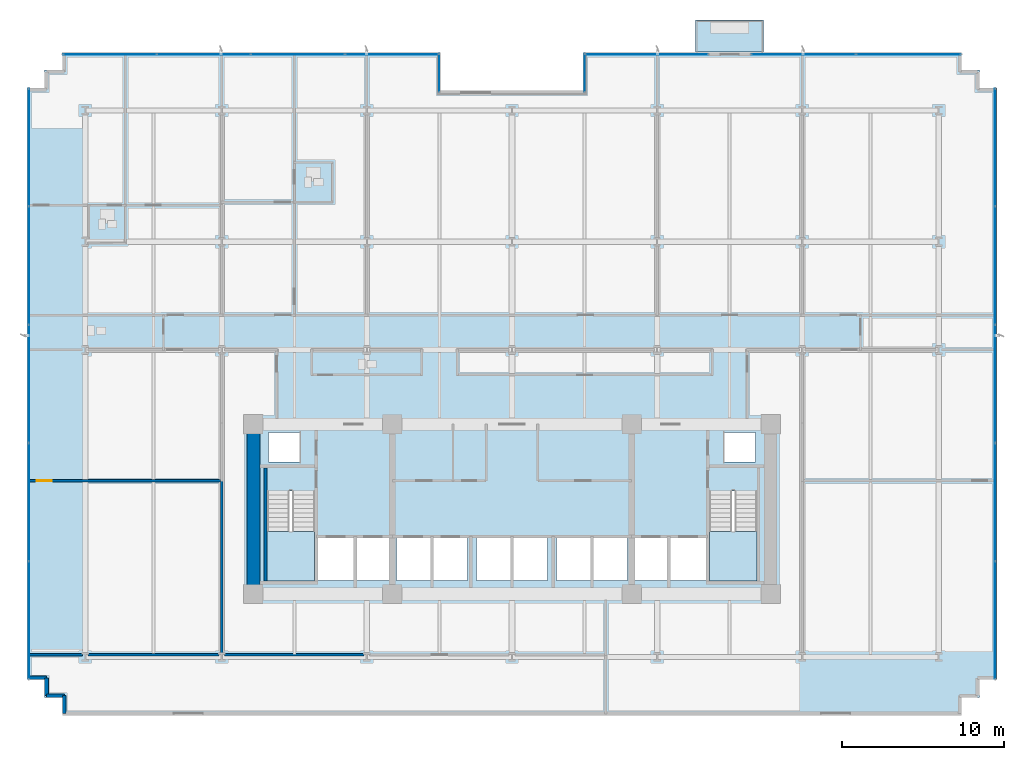
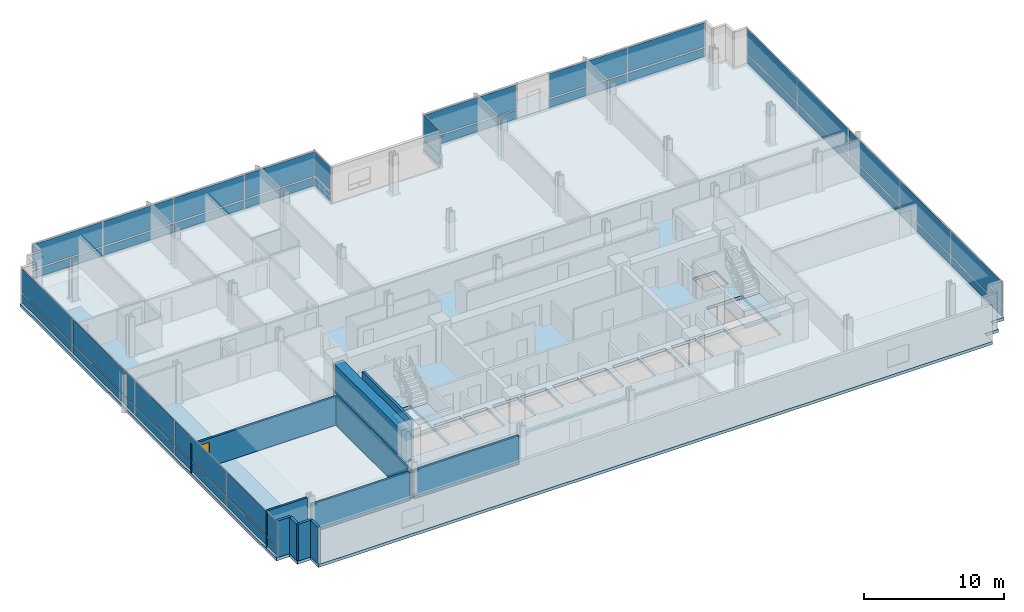
# One storey, part 11 of 21: 38 plates, 11 walls, 4 slabs, 1 door, 1 opening, 9 elements without a shape of their own.
"""IFC4 building model written with IfcOpenShell, lengths in metres."""

import ifcopenshell
import ifcopenshell.guid

model = None  # the IFC model being written
_history = None  # IfcOwnerHistory: only IFC2X3 demands one
_inside = {}  # id of a spatial element -> (the spatial element, [elements in it])
_under = {}  # id of a project, library or spatial element -> (it, [spatial elements below it])
_declared = {}  # id of a project -> (the project, [libraries it declares])
_typed = {}  # id of a type object -> (the type object, [elements of that type])
_made_of = {}  # id of a material, layer set ... -> (it, [elements and type objects made of it])


def new_model(schema):
    """Start an empty IFC model of exactly this schema.

    Asked for "IFC4X3", IfcOpenShell would pick the latest addendum, in which some entities
    have other attributes; the version numbers below select the first issue.
    IFC2X3 requires an IfcOwnerHistory on every rooted entity: one is made here for all.
    """
    global model, _history
    if schema == "IFC4X3":
        model = ifcopenshell.file(schema_version=(4, 3, 0, 0))
    else:
        model = ifcopenshell.file(schema=schema)
    _inside.clear()
    _under.clear()
    _declared.clear()
    _typed.clear()
    _made_of.clear()
    _history = None
    if model.schema == "IFC2X3":
        org = make("IfcOrganization", Name="unknown")
        user = make(
            "IfcPersonAndOrganization",
            ThePerson=make("IfcPerson", FamilyName="unknown"),
            TheOrganization=org,
        )
        app = make(
            "IfcApplication",
            ApplicationDeveloper=org,
            Version="unknown",
            ApplicationFullName="unknown",
            ApplicationIdentifier="unknown",
        )
        _history = make(
            "IfcOwnerHistory",
            OwningUser=user,
            OwningApplication=app,
            ChangeAction="ADDED",
            CreationDate=0,
        )
    return model


def make(cls, **values):
    """One entity of the class cls with the attributes given. An attribute that is None is left unset."""
    return model.create_entity(
        cls, **{name: value for name, value in values.items() if value is not None}
    )


def rooted(cls, **values):
    """An entity with a GlobalId (a new one), such as an element, a storey or a relation."""
    return make(cls, GlobalId=ifcopenshell.guid.new(), OwnerHistory=_history, **values)


def si_unit(unit_type, name, prefix=None):
    """IfcSIUnit, for example si_unit("LENGTHUNIT", "METRE", prefix="MILLI")."""
    return make("IfcSIUnit", UnitType=unit_type, Prefix=prefix, Name=name)


def assignment(units):
    """IfcUnitAssignment: the units of a project."""
    return None if units is None else make("IfcUnitAssignment", Units=units)


def point(xyz):
    """IfcCartesianPoint."""
    return None if xyz is None else make("IfcCartesianPoint", Coordinates=xyz)


def direction(xyz):
    """IfcDirection."""
    return None if xyz is None else make("IfcDirection", DirectionRatios=xyz)


def frame(location, z_axis=None, x_axis=None):
    """IfcAxis2Placement3D, a coordinate frame: its origin and axes. An axis left out is left unset."""
    return make(
        "IfcAxis2Placement3D",
        Location=point(location),
        Axis=direction(z_axis),
        RefDirection=direction(x_axis),
    )


def frame_2d(location, x_axis=None):
    """IfcAxis2Placement2D, a coordinate frame in the plane: its origin and x axis."""
    return make(
        "IfcAxis2Placement2D", Location=point(location), RefDirection=direction(x_axis)
    )


def origin():
    """The frame at (0, 0, 0) with its axes left unset."""
    return frame((0.0, 0.0, 0.0))


def origin_2d():
    """The frame at (0, 0) in the plane with its x axis left unset."""
    return frame_2d((0.0, 0.0))


def place(relative_to, where):
    """IfcLocalPlacement: puts the frame where relative to a parent placement (None: the world)."""
    return make(
        "IfcLocalPlacement", PlacementRelTo=relative_to, RelativePlacement=where
    )


def context(
    kind, dimensions, precision=None, world=None, true_north=None, identifier=None
):
    """IfcGeometricRepresentationContext, for example the 3D "Model" context."""
    return make(
        "IfcGeometricRepresentationContext",
        ContextIdentifier=identifier,
        ContextType=kind,
        CoordinateSpaceDimension=dimensions,
        Precision=precision,
        WorldCoordinateSystem=world,
        TrueNorth=true_north,
    )


def subcontext(parent, identifier, kind, view, scale=None):
    """IfcGeometricRepresentationSubContext, for example "Body" below "Model"."""
    return make(
        "IfcGeometricRepresentationSubContext",
        ContextIdentifier=identifier,
        ContextType=kind,
        ParentContext=parent,
        TargetScale=scale,
        TargetView=view,
    )


def project(units=None, contexts=None):
    """IfcProject with its units and contexts."""
    return rooted(
        "IfcProject",
        Name="project",
        RepresentationContexts=contexts,
        UnitsInContext=assignment(units),
    )


def spatial(cls, under=None, at=None, **own):
    """A site, building, storey or space (cls), placed at a placement, below another one or the project."""
    s = rooted(cls, ObjectPlacement=at, **own)
    if under is not None:
        _under.setdefault(under.id(), (under, []))[1].append(s)
    return s


def polyline(points):
    """IfcPolyline through the points."""
    return make("IfcPolyline", Points=[point(p) for p in points])


def profile(cls, at=None, kind="AREA", **sizes):
    """A parametric profile (cls). Its sizes go by their IFC names, for example OverallWidth=200.0."""
    return make(cls, ProfileType=kind, Position=at, **sizes)


def rectangle(**sizes):
    """IfcRectangleProfileDef."""
    return profile("IfcRectangleProfileDef", **sizes)


def outline(outer, holes=None, kind="AREA"):
    """IfcArbitraryClosedProfileDef: a profile drawn as a closed curve; with holes, ...WithVoids."""
    if holes is None:
        return make("IfcArbitraryClosedProfileDef", ProfileType=kind, OuterCurve=outer)
    return make(
        "IfcArbitraryProfileDefWithVoids",
        ProfileType=kind,
        OuterCurve=outer,
        InnerCurves=holes,
    )


def extrude(swept, where, along, depth):
    """IfcExtrudedAreaSolid: the profile swept, set in the frame where, extruded along a direction by depth."""
    return make(
        "IfcExtrudedAreaSolid",
        SweptArea=swept,
        Position=where,
        ExtrudedDirection=direction(along),
        Depth=depth,
    )


def shape(context_of_items, identifier, shape_type, items):
    """IfcShapeRepresentation: the items that make up one representation, for example the "Body"."""
    return make(
        "IfcShapeRepresentation",
        ContextOfItems=context_of_items,
        RepresentationIdentifier=identifier,
        RepresentationType=shape_type,
        Items=items,
    )


def material(Name=None, Category=None):
    """IfcMaterial."""
    return make("IfcMaterial", Name=Name, Category=Category)


def layer(
    of_material, thickness, ventilated=None, Name=None, Category=None, Priority=None
):
    """IfcMaterialLayer: one layer of a wall or slab, of a material (None: an air gap)."""
    return make(
        "IfcMaterialLayer",
        Material=of_material,
        LayerThickness=thickness,
        IsVentilated=ventilated,
        Name=Name,
        Category=Category,
        Priority=Priority,
    )


def layer_set(layers, Name=None):
    """IfcMaterialLayerSet."""
    return make("IfcMaterialLayerSet", MaterialLayers=layers, LayerSetName=Name)


def made_of(thing, what):
    """Note that an element or type object is made of a material, layer set ...; save() writes the relation."""
    if what is not None:
        _made_of.setdefault(what.id(), (what, []))[1].append(thing)
    return thing


def type_object(cls, material=None, **own):
    """A type object (cls), such as IfcWallType, which elements share."""
    return made_of(rooted(cls, **own), material)


def element(
    cls,
    number,
    at=None,
    inside=None,
    cuts=None,
    type_object=None,
    material=None,
    context=None,
    identifier="Body",
    shape_type=None,
    held_by="IfcProductDefinitionShape",
    body=None,
    shapes=None,
    **own,
):
    """One element of the class cls, such as IfcWall. Its Tag is "e" and its number.

    at: its placement. inside: the storey or other place that contains it. cuts: it is an
    opening in that element (IfcRelVoidsElement). A single representation is given by context,
    identifier, shape_type and body (its items); several are given by shapes. held_by: the class
    of the entity that holds the representations. save() writes the other relations.
    """
    e = rooted(cls, Tag="e%d" % number, ObjectPlacement=at, **own)
    if body is not None:
        shapes = [shape(context, identifier, shape_type, body)]
    if shapes is not None:
        e.Representation = make(held_by, Representations=shapes)
    if inside is not None:
        _inside.setdefault(inside.id(), (inside, []))[1].append(e)
    if cuts is not None:
        rooted(
            "IfcRelVoidsElement", RelatingBuildingElement=cuts, RelatedOpeningElement=e
        )
    if type_object is not None:
        _typed.setdefault(type_object.id(), (type_object, []))[1].append(e)
    return made_of(e, material)


def fill(opening, filler):
    """IfcRelFillsElement: the door or window that sits in an opening."""
    return rooted(
        "IfcRelFillsElement",
        RelatingOpeningElement=opening,
        RelatedBuildingElement=filler,
    )


def aggregate(whole, parts):
    """IfcRelAggregates: a whole, such as a stair, and the parts it consists of."""
    return rooted("IfcRelAggregates", RelatingObject=whole, RelatedObjects=parts)


def save(model, path):
    """Write the relations noted so far, then the file.

    IfcRelAggregates (storeys below a building ...), IfcRelContainedInSpatialStructure (elements
    in a storey), IfcRelDefinesByType, IfcRelAssociatesMaterial and IfcRelDeclares: one each for
    every whole, place, type object, material and project.
    """
    for whole, parts in _under.values():
        aggregate(whole, parts)
    for where, things in _inside.values():
        rooted(
            "IfcRelContainedInSpatialStructure",
            RelatedElements=things,
            RelatingStructure=where,
        )
    for kind, things in _typed.values():
        rooted("IfcRelDefinesByType", RelatedObjects=things, RelatingType=kind)
    for what, things in _made_of.values():
        rooted("IfcRelAssociatesMaterial", RelatedObjects=things, RelatingMaterial=what)
    for by, libraries in _declared.values():
        rooted("IfcRelDeclares", RelatingContext=by, RelatedDefinitions=libraries)
    model.write(path)


model = new_model("IFC4")

# Units and contexts
model_context = context("Model", 3, precision=1e-05, world=origin(), true_north=direction((0.0, 1.0)))
body_context = subcontext(model_context, "Body", "Model", "MODEL_VIEW")
ifc_project = project(units=[si_unit("LENGTHUNIT", "METRE"), si_unit("AREAUNIT", "SQUARE_METRE"), si_unit("VOLUMEUNIT", "CUBIC_METRE"), si_unit("PLANEANGLEUNIT", "RADIAN"), si_unit("MASSUNIT", "GRAM", prefix="KILO")], contexts=[model_context])

# Site, building, storey
site_placement = place(None, origin())
site = spatial("IfcSite", under=ifc_project, at=site_placement, CompositionType="ELEMENT")
building_placement = place(site_placement, origin())
building = spatial("IfcBuilding", under=site, at=building_placement, Name="Solmavex Isthmus Hotel", CompositionType="ELEMENT")
storey_placement = place(building_placement, frame((0.0, 0.0, 60.89990234375)))
storey = spatial("IfcBuildingStorey", under=building, at=storey_placement, Name="L16", CompositionType="ELEMENT", Elevation=60.89990234375)

# Curtain wall, plates
ifc_material_1 = material(Name="Aluminium alloy 6063-T6", Category="aluminium")
curtain_wall_type = type_object("IfcCurtainWallType", Name="CW-SYS-06", PredefinedType="NOTDEFINED", material=ifc_material_1)
curtain_wall_1_placement = place(storey_placement, origin())
curtain_wall_1 = element("IfcCurtainWall", 1, at=curtain_wall_1_placement, inside=storey, type_object=curtain_wall_type, Name="Stick Curtain Wall CWL-L16-SGW", PredefinedType="NOTDEFINED")
ifc_material_2 = material(Name="Clear low-E laminated glass", Category="glass")
ifc_layer_1 = layer(ifc_material_2, 0.028076171875)
ifc_layer_set_1 = layer_set([ifc_layer_1], Name="Clear low-E laminated glass")
plate_type = type_object("IfcPlateType", Name="CW-SYS-06-PNL", PredefinedType="CURTAIN_PANEL", material=ifc_layer_set_1)
plate_1_placement = place(storey_placement, frame((-4.5, 19.239990234375, 0.114990234375), z_axis=(0.0, 0.0, 1.0), x_axis=(0.0, 1.0, 0.0)))
plate_1 = element("IfcPlate", 2, at=plate_1_placement, type_object=plate_type, Name="CW-06 panel 1.1", PredefinedType="CURTAIN_PANEL", context=body_context, shape_type="SweptSolid", body=[
    extrude(rectangle(XDim=2.360107421875, YDim=0.028076171875, at=origin_2d()), origin(), (0.0, 0.0, 1.0), 0.7275390625),
])
plate_2_placement = place(storey_placement, frame((-4.5, 19.239990234375, 0.95751953125), z_axis=(0.0, 0.0, 1.0), x_axis=(0.0, 1.0, 0.0)))
plate_2 = element("IfcPlate", 3, at=plate_2_placement, type_object=plate_type, Name="CW-06 panel 1.2", PredefinedType="CURTAIN_PANEL", context=body_context, shape_type="SweptSolid", body=[
    extrude(rectangle(XDim=2.360107421875, YDim=0.028076171875, at=origin_2d()), origin(), (0.0, 0.0, 1.0), 2.117431640625),
])
aggregate(curtain_wall_1, [plate_1, plate_2])

curtain_wall_2_placement = place(storey_placement, origin())
curtain_wall_2 = element("IfcCurtainWall", 4, at=curtain_wall_2_placement, inside=storey, type_object=curtain_wall_type, Name="Stick Curtain Wall CWL-L16-SGE", PredefinedType="NOTDEFINED")
plate_3_placement = place(storey_placement, frame((4.5, 19.239990234375, 0.114990234375), z_axis=(0.0, 0.0, 1.0), x_axis=(0.0, 1.0, 0.0)))
plate_3 = element("IfcPlate", 5, at=plate_3_placement, type_object=plate_type, Name="CW-06 panel 1.1", PredefinedType="CURTAIN_PANEL", context=body_context, shape_type="SweptSolid", body=[
    extrude(rectangle(XDim=2.360107421875, YDim=0.028076171875, at=origin_2d()), origin(), (0.0, 0.0, 1.0), 0.7275390625),
])
plate_4_placement = place(storey_placement, frame((4.5, 19.239990234375, 0.95751953125), z_axis=(0.0, 0.0, 1.0), x_axis=(0.0, 1.0, 0.0)))
plate_4 = element("IfcPlate", 6, at=plate_4_placement, type_object=plate_type, Name="CW-06 panel 1.2", PredefinedType="CURTAIN_PANEL", context=body_context, shape_type="SweptSolid", body=[
    extrude(rectangle(XDim=2.360107421875, YDim=0.028076171875, at=origin_2d()), origin(), (0.0, 0.0, 1.0), 2.117431640625),
])
aggregate(curtain_wall_2, [plate_3, plate_4])

curtain_wall_3_placement = place(storey_placement, origin())
curtain_wall_3 = element("IfcCurtainWall", 7, at=curtain_wall_3_placement, inside=storey, type_object=curtain_wall_type, Name="Stick Curtain Wall CWL-L16-N1", PredefinedType="NOTDEFINED")
plate_5_placement = place(storey_placement, frame((-24.87255859375, 20.3798828125, 0.114990234375), z_axis=(0.0, 0.0, 1.0), x_axis=(1.0, 0.0, 0.0)))
plate_5 = element("IfcPlate", 8, at=plate_5_placement, type_object=plate_type, Name="CW-06 panel 1.1", PredefinedType="CURTAIN_PANEL", context=body_context, shape_type="SweptSolid", body=[
    extrude(rectangle(XDim=5.735107421875, YDim=0.028076171875, at=origin_2d()), origin(), (0.0, 0.0, 1.0), 0.7275390625),
])
plate_6_placement = place(storey_placement, frame((-24.87255859375, 20.3798828125, 0.95751953125), z_axis=(0.0, 0.0, 1.0), x_axis=(1.0, 0.0, 0.0)))
plate_6 = element("IfcPlate", 9, at=plate_6_placement, type_object=plate_type, Name="CW-06 panel 1.2", PredefinedType="CURTAIN_PANEL", context=body_context, shape_type="SweptSolid", body=[
    extrude(rectangle(XDim=5.735107421875, YDim=0.028076171875, at=origin_2d()), origin(), (0.0, 0.0, 1.0), 2.117431640625),
])
plate_7_placement = place(storey_placement, frame((-19.0625, 20.3798828125, 0.114990234375), z_axis=(0.0, 0.0, 1.0), x_axis=(1.0, 0.0, 0.0)))
plate_7 = element("IfcPlate", 10, at=plate_7_placement, type_object=plate_type, Name="CW-06 panel 2.1", PredefinedType="CURTAIN_PANEL", context=body_context, shape_type="SweptSolid", body=[
    extrude(rectangle(XDim=5.764892578125, YDim=0.028076171875, at=origin_2d()), origin(), (0.0, 0.0, 1.0), 0.7275390625),
])
plate_8_placement = place(storey_placement, frame((-19.0625, 20.3798828125, 0.95751953125), z_axis=(0.0, 0.0, 1.0), x_axis=(1.0, 0.0, 0.0)))
plate_8 = element("IfcPlate", 11, at=plate_8_placement, type_object=plate_type, Name="CW-06 panel 2.2", PredefinedType="CURTAIN_PANEL", context=body_context, shape_type="SweptSolid", body=[
    extrude(rectangle(XDim=5.764892578125, YDim=0.028076171875, at=origin_2d()), origin(), (0.0, 0.0, 1.0), 2.117431640625),
])
plate_9_placement = place(storey_placement, frame((-13.237548828125, 20.3798828125, 0.114990234375), z_axis=(0.0, 0.0, 1.0), x_axis=(1.0, 0.0, 0.0)))
plate_9 = element("IfcPlate", 12, at=plate_9_placement, type_object=plate_type, Name="CW-06 panel 3.1", PredefinedType="CURTAIN_PANEL", context=body_context, shape_type="SweptSolid", body=[
    extrude(rectangle(XDim=5.764892578125, YDim=0.028076171875, at=origin_2d()), origin(), (0.0, 0.0, 1.0), 0.7275390625),
])
plate_10_placement = place(storey_placement, frame((-13.237548828125, 20.3798828125, 0.95751953125), z_axis=(0.0, 0.0, 1.0), x_axis=(1.0, 0.0, 0.0)))
plate_10 = element("IfcPlate", 13, at=plate_10_placement, type_object=plate_type, Name="CW-06 panel 3.2", PredefinedType="CURTAIN_PANEL", context=body_context, shape_type="SweptSolid", body=[
    extrude(rectangle(XDim=5.764892578125, YDim=0.028076171875, at=origin_2d()), origin(), (0.0, 0.0, 1.0), 2.117431640625),
])
plate_11_placement = place(storey_placement, frame((-7.427490234375, 20.3798828125, 0.114990234375), z_axis=(0.0, 0.0, 1.0), x_axis=(1.0, 0.0, 0.0)))
plate_11 = element("IfcPlate", 14, at=plate_11_placement, type_object=plate_type, Name="CW-06 panel 4.1", PredefinedType="CURTAIN_PANEL", context=body_context, shape_type="SweptSolid", body=[
    extrude(rectangle(XDim=5.735107421875, YDim=0.028076171875, at=origin_2d()), origin(), (0.0, 0.0, 1.0), 0.7275390625),
])
plate_12_placement = place(storey_placement, frame((-7.427490234375, 20.3798828125, 0.95751953125), z_axis=(0.0, 0.0, 1.0), x_axis=(1.0, 0.0, 0.0)))
plate_12 = element("IfcPlate", 15, at=plate_12_placement, type_object=plate_type, Name="CW-06 panel 4.2", PredefinedType="CURTAIN_PANEL", context=body_context, shape_type="SweptSolid", body=[
    extrude(rectangle(XDim=5.735107421875, YDim=0.028076171875, at=origin_2d()), origin(), (0.0, 0.0, 1.0), 2.117431640625),
])
aggregate(curtain_wall_3, [plate_5, plate_6, plate_7, plate_8, plate_9, plate_10, plate_11, plate_12])

curtain_wall_4_placement = place(storey_placement, origin())
curtain_wall_4 = element("IfcCurtainWall", 16, at=curtain_wall_4_placement, inside=storey, type_object=curtain_wall_type, Name="Stick Curtain Wall CWL-L16-N2", PredefinedType="NOTDEFINED")
plate_13_placement = place(storey_placement, frame((8.33203125, 20.3798828125, 0.114990234375), z_axis=(0.0, 0.0, 1.0), x_axis=(1.0, 0.0, 0.0)))
plate_13 = element("IfcPlate", 17, at=plate_13_placement, type_object=plate_type, Name="CW-06 panel 1.1", PredefinedType="CURTAIN_PANEL", context=body_context, shape_type="SweptSolid", body=[
    extrude(rectangle(XDim=7.5439453125, YDim=0.028076171875, at=origin_2d()), origin(), (0.0, 0.0, 1.0), 0.7275390625),
])
plate_14_placement = place(storey_placement, frame((8.33203125, 20.3798828125, 0.95751953125), z_axis=(0.0, 0.0, 1.0), x_axis=(1.0, 0.0, 0.0)))
plate_14 = element("IfcPlate", 18, at=plate_14_placement, type_object=plate_type, Name="CW-06 panel 1.2", PredefinedType="CURTAIN_PANEL", context=body_context, shape_type="SweptSolid", body=[
    extrude(rectangle(XDim=7.5439453125, YDim=0.028076171875, at=origin_2d()), origin(), (0.0, 0.0, 1.0), 2.117431640625),
])
aggregate(curtain_wall_4, [plate_13, plate_14])

curtain_wall_5_placement = place(storey_placement, origin())
curtain_wall_5 = element("IfcCurtainWall", 19, at=curtain_wall_5_placement, inside=storey, type_object=curtain_wall_type, Name="Stick Curtain Wall CWL-L16-N3", PredefinedType="NOTDEFINED")
plate_15_placement = place(storey_placement, frame((18.0380859375, 20.3798828125, 0.114990234375), z_axis=(0.0, 0.0, 1.0), x_axis=(1.0, 0.0, 0.0)))
plate_15 = element("IfcPlate", 20, at=plate_15_placement, type_object=plate_type, Name="CW-06 panel 1.1", PredefinedType="CURTAIN_PANEL", context=body_context, shape_type="SweptSolid", body=[
    extrude(rectangle(XDim=6.427978515625, YDim=0.028076171875, at=origin_2d()), origin(), (0.0, 0.0, 1.0), 0.7275390625),
])
plate_16_placement = place(storey_placement, frame((18.0380859375, 20.3798828125, 0.95751953125), z_axis=(0.0, 0.0, 1.0), x_axis=(1.0, 0.0, 0.0)))
plate_16 = element("IfcPlate", 21, at=plate_16_placement, type_object=plate_type, Name="CW-06 panel 1.2", PredefinedType="CURTAIN_PANEL", context=body_context, shape_type="SweptSolid", body=[
    extrude(rectangle(XDim=6.427978515625, YDim=0.028076171875, at=origin_2d()), origin(), (0.0, 0.0, 1.0), 2.117431640625),
])
plate_17_placement = place(storey_placement, frame((24.52587890625, 20.3798828125, 0.114990234375), z_axis=(0.0, 0.0, 1.0), x_axis=(1.0, 0.0, 0.0)))
plate_17 = element("IfcPlate", 22, at=plate_17_placement, type_object=plate_type, Name="CW-06 panel 2.1", PredefinedType="CURTAIN_PANEL", context=body_context, shape_type="SweptSolid", body=[
    extrude(rectangle(XDim=6.427978515625, YDim=0.028076171875, at=origin_2d()), origin(), (0.0, 0.0, 1.0), 0.7275390625),
])
plate_18_placement = place(storey_placement, frame((24.52587890625, 20.3798828125, 0.95751953125), z_axis=(0.0, 0.0, 1.0), x_axis=(1.0, 0.0, 0.0)))
plate_18 = element("IfcPlate", 23, at=plate_18_placement, type_object=plate_type, Name="CW-06 panel 2.2", PredefinedType="CURTAIN_PANEL", context=body_context, shape_type="SweptSolid", body=[
    extrude(rectangle(XDim=6.427978515625, YDim=0.028076171875, at=origin_2d()), origin(), (0.0, 0.0, 1.0), 2.117431640625),
])
aggregate(curtain_wall_5, [plate_15, plate_16, plate_17, plate_18])

curtain_wall_6_placement = place(storey_placement, origin())
curtain_wall_6 = element("IfcCurtainWall", 24, at=curtain_wall_6_placement, inside=storey, type_object=curtain_wall_type, Name="Stick Curtain Wall CWL-L16-W1", PredefinedType="NOTDEFINED")
plate_19_placement = place(storey_placement, frame((-29.8798828125, -14.625, 0.114990234375), z_axis=(0.0, 0.0, 1.0), x_axis=(0.0, 1.0, 0.0)))
plate_19 = element("IfcPlate", 25, at=plate_19_placement, type_object=plate_type, Name="CW-06 panel 1.1", PredefinedType="CURTAIN_PANEL", context=body_context, shape_type="SweptSolid", body=[
    extrude(rectangle(XDim=7.22998046875, YDim=0.028076171875, at=origin_2d()), origin(), (0.0, 0.0, 1.0), 0.7275390625),
])
plate_20_placement = place(storey_placement, frame((-29.8798828125, -14.625, 0.95751953125), z_axis=(0.0, 0.0, 1.0), x_axis=(0.0, 1.0, 0.0)))
plate_20 = element("IfcPlate", 26, at=plate_20_placement, type_object=plate_type, Name="CW-06 panel 1.2", PredefinedType="CURTAIN_PANEL", context=body_context, shape_type="SweptSolid", body=[
    extrude(rectangle(XDim=7.22998046875, YDim=0.028076171875, at=origin_2d()), origin(), (0.0, 0.0, 1.0), 2.117431640625),
])
plate_21_placement = place(storey_placement, frame((-29.8798828125, -7.320068359375, 0.114990234375), z_axis=(0.0, 0.0, 1.0), x_axis=(0.0, 1.0, 0.0)))
plate_21 = element("IfcPlate", 27, at=plate_21_placement, type_object=plate_type, Name="CW-06 panel 2.1", PredefinedType="CURTAIN_PANEL", context=body_context, shape_type="SweptSolid", body=[
    extrude(rectangle(XDim=7.260009765625, YDim=0.028076171875, at=origin_2d()), origin(), (0.0, 0.0, 1.0), 0.7275390625),
])
plate_22_placement = place(storey_placement, frame((-29.8798828125, -7.320068359375, 0.95751953125), z_axis=(0.0, 0.0, 1.0), x_axis=(0.0, 1.0, 0.0)))
plate_22 = element("IfcPlate", 28, at=plate_22_placement, type_object=plate_type, Name="CW-06 panel 2.2", PredefinedType="CURTAIN_PANEL", context=body_context, shape_type="SweptSolid", body=[
    extrude(rectangle(XDim=7.260009765625, YDim=0.028076171875, at=origin_2d()), origin(), (0.0, 0.0, 1.0), 2.117431640625),
])
plate_23_placement = place(storey_placement, frame((-29.8798828125, 0.0, 0.114990234375), z_axis=(0.0, 0.0, 1.0), x_axis=(0.0, 1.0, 0.0)))
plate_23 = element("IfcPlate", 29, at=plate_23_placement, type_object=plate_type, Name="CW-06 panel 3.1", PredefinedType="CURTAIN_PANEL", context=body_context, shape_type="SweptSolid", body=[
    extrude(rectangle(XDim=7.260009765625, YDim=0.028076171875, at=origin_2d()), origin(), (0.0, 0.0, 1.0), 0.7275390625),
])
plate_24_placement = place(storey_placement, frame((-29.8798828125, 0.0, 0.95751953125), z_axis=(0.0, 0.0, 1.0), x_axis=(0.0, 1.0, 0.0)))
plate_24 = element("IfcPlate", 30, at=plate_24_placement, type_object=plate_type, Name="CW-06 panel 3.2", PredefinedType="CURTAIN_PANEL", context=body_context, shape_type="SweptSolid", body=[
    extrude(rectangle(XDim=7.260009765625, YDim=0.028076171875, at=origin_2d()), origin(), (0.0, 0.0, 1.0), 2.117431640625),
])
plate_25_placement = place(storey_placement, frame((-29.8798828125, 7.320068359375, 0.114990234375), z_axis=(0.0, 0.0, 1.0), x_axis=(0.0, 1.0, 0.0)))
plate_25 = element("IfcPlate", 31, at=plate_25_placement, type_object=plate_type, Name="CW-06 panel 4.1", PredefinedType="CURTAIN_PANEL", context=body_context, shape_type="SweptSolid", body=[
    extrude(rectangle(XDim=7.260009765625, YDim=0.028076171875, at=origin_2d()), origin(), (0.0, 0.0, 1.0), 0.7275390625),
])
plate_26_placement = place(storey_placement, frame((-29.8798828125, 7.320068359375, 0.95751953125), z_axis=(0.0, 0.0, 1.0), x_axis=(0.0, 1.0, 0.0)))
plate_26 = element("IfcPlate", 32, at=plate_26_placement, type_object=plate_type, Name="CW-06 panel 4.2", PredefinedType="CURTAIN_PANEL", context=body_context, shape_type="SweptSolid", body=[
    extrude(rectangle(XDim=7.260009765625, YDim=0.028076171875, at=origin_2d()), origin(), (0.0, 0.0, 1.0), 2.117431640625),
])
plate_27_placement = place(storey_placement, frame((-29.8798828125, 14.625, 0.114990234375), z_axis=(0.0, 0.0, 1.0), x_axis=(0.0, 1.0, 0.0)))
plate_27 = element("IfcPlate", 33, at=plate_27_placement, type_object=plate_type, Name="CW-06 panel 5.1", PredefinedType="CURTAIN_PANEL", context=body_context, shape_type="SweptSolid", body=[
    extrude(rectangle(XDim=7.22998046875, YDim=0.028076171875, at=origin_2d()), origin(), (0.0, 0.0, 1.0), 0.7275390625),
])
plate_28_placement = place(storey_placement, frame((-29.8798828125, 14.625, 0.95751953125), z_axis=(0.0, 0.0, 1.0), x_axis=(0.0, 1.0, 0.0)))
plate_28 = element("IfcPlate", 34, at=plate_28_placement, type_object=plate_type, Name="CW-06 panel 5.2", PredefinedType="CURTAIN_PANEL", context=body_context, shape_type="SweptSolid", body=[
    extrude(rectangle(XDim=7.22998046875, YDim=0.028076171875, at=origin_2d()), origin(), (0.0, 0.0, 1.0), 2.117431640625),
])
aggregate(curtain_wall_6, [plate_19, plate_20, plate_21, plate_22, plate_23, plate_24, plate_25, plate_26, plate_27, plate_28])

curtain_wall_7_placement = place(storey_placement, origin())
curtain_wall_7 = element("IfcCurtainWall", 35, at=curtain_wall_7_placement, inside=storey, type_object=curtain_wall_type, Name="Stick Curtain Wall CWL-L16-E1", PredefinedType="NOTDEFINED")
plate_29_placement = place(storey_placement, frame((29.8798828125, -14.625, 0.114990234375), z_axis=(0.0, 0.0, 1.0), x_axis=(0.0, 1.0, 0.0)))
plate_29 = element("IfcPlate", 36, at=plate_29_placement, type_object=plate_type, Name="CW-06 panel 1.1", PredefinedType="CURTAIN_PANEL", context=body_context, shape_type="SweptSolid", body=[
    extrude(rectangle(XDim=7.22998046875, YDim=0.028076171875, at=origin_2d()), origin(), (0.0, 0.0, 1.0), 0.7275390625),
])
plate_30_placement = place(storey_placement, frame((29.8798828125, -14.625, 0.95751953125), z_axis=(0.0, 0.0, 1.0), x_axis=(0.0, 1.0, 0.0)))
plate_30 = element("IfcPlate", 37, at=plate_30_placement, type_object=plate_type, Name="CW-06 panel 1.2", PredefinedType="CURTAIN_PANEL", context=body_context, shape_type="SweptSolid", body=[
    extrude(rectangle(XDim=7.22998046875, YDim=0.028076171875, at=origin_2d()), origin(), (0.0, 0.0, 1.0), 2.117431640625),
])
plate_31_placement = place(storey_placement, frame((29.8798828125, -7.320068359375, 0.114990234375), z_axis=(0.0, 0.0, 1.0), x_axis=(0.0, 1.0, 0.0)))
plate_31 = element("IfcPlate", 38, at=plate_31_placement, type_object=plate_type, Name="CW-06 panel 2.1", PredefinedType="CURTAIN_PANEL", context=body_context, shape_type="SweptSolid", body=[
    extrude(rectangle(XDim=7.260009765625, YDim=0.028076171875, at=origin_2d()), origin(), (0.0, 0.0, 1.0), 0.7275390625),
])
plate_32_placement = place(storey_placement, frame((29.8798828125, -7.320068359375, 0.95751953125), z_axis=(0.0, 0.0, 1.0), x_axis=(0.0, 1.0, 0.0)))
plate_32 = element("IfcPlate", 39, at=plate_32_placement, type_object=plate_type, Name="CW-06 panel 2.2", PredefinedType="CURTAIN_PANEL", context=body_context, shape_type="SweptSolid", body=[
    extrude(rectangle(XDim=7.260009765625, YDim=0.028076171875, at=origin_2d()), origin(), (0.0, 0.0, 1.0), 2.117431640625),
])
plate_33_placement = place(storey_placement, frame((29.8798828125, 0.0, 0.114990234375), z_axis=(0.0, 0.0, 1.0), x_axis=(0.0, 1.0, 0.0)))
plate_33 = element("IfcPlate", 40, at=plate_33_placement, type_object=plate_type, Name="CW-06 panel 3.1", PredefinedType="CURTAIN_PANEL", context=body_context, shape_type="SweptSolid", body=[
    extrude(rectangle(XDim=7.260009765625, YDim=0.028076171875, at=origin_2d()), origin(), (0.0, 0.0, 1.0), 0.7275390625),
])
plate_34_placement = place(storey_placement, frame((29.8798828125, 0.0, 0.95751953125), z_axis=(0.0, 0.0, 1.0), x_axis=(0.0, 1.0, 0.0)))
plate_34 = element("IfcPlate", 41, at=plate_34_placement, type_object=plate_type, Name="CW-06 panel 3.2", PredefinedType="CURTAIN_PANEL", context=body_context, shape_type="SweptSolid", body=[
    extrude(rectangle(XDim=7.260009765625, YDim=0.028076171875, at=origin_2d()), origin(), (0.0, 0.0, 1.0), 2.117431640625),
])
plate_35_placement = place(storey_placement, frame((29.8798828125, 7.320068359375, 0.114990234375), z_axis=(0.0, 0.0, 1.0), x_axis=(0.0, 1.0, 0.0)))
plate_35 = element("IfcPlate", 42, at=plate_35_placement, type_object=plate_type, Name="CW-06 panel 4.1", PredefinedType="CURTAIN_PANEL", context=body_context, shape_type="SweptSolid", body=[
    extrude(rectangle(XDim=7.260009765625, YDim=0.028076171875, at=origin_2d()), origin(), (0.0, 0.0, 1.0), 0.7275390625),
])
plate_36_placement = place(storey_placement, frame((29.8798828125, 7.320068359375, 0.95751953125), z_axis=(0.0, 0.0, 1.0), x_axis=(0.0, 1.0, 0.0)))
plate_36 = element("IfcPlate", 43, at=plate_36_placement, type_object=plate_type, Name="CW-06 panel 4.2", PredefinedType="CURTAIN_PANEL", context=body_context, shape_type="SweptSolid", body=[
    extrude(rectangle(XDim=7.260009765625, YDim=0.028076171875, at=origin_2d()), origin(), (0.0, 0.0, 1.0), 2.117431640625),
])
plate_37_placement = place(storey_placement, frame((29.8798828125, 14.625, 0.114990234375), z_axis=(0.0, 0.0, 1.0), x_axis=(0.0, 1.0, 0.0)))
plate_37 = element("IfcPlate", 44, at=plate_37_placement, type_object=plate_type, Name="CW-06 panel 5.1", PredefinedType="CURTAIN_PANEL", context=body_context, shape_type="SweptSolid", body=[
    extrude(rectangle(XDim=7.22998046875, YDim=0.028076171875, at=origin_2d()), origin(), (0.0, 0.0, 1.0), 0.7275390625),
])
plate_38_placement = place(storey_placement, frame((29.8798828125, 14.625, 0.95751953125), z_axis=(0.0, 0.0, 1.0), x_axis=(0.0, 1.0, 0.0)))
plate_38 = element("IfcPlate", 45, at=plate_38_placement, type_object=plate_type, Name="CW-06 panel 5.2", PredefinedType="CURTAIN_PANEL", context=body_context, shape_type="SweptSolid", body=[
    extrude(rectangle(XDim=7.22998046875, YDim=0.028076171875, at=origin_2d()), origin(), (0.0, 0.0, 1.0), 2.117431640625),
])
aggregate(curtain_wall_7, [plate_29, plate_30, plate_31, plate_32, plate_33, plate_34, plate_35, plate_36, plate_37, plate_38])

# Slabs
ifc_material_3 = material(Name="Concrete C40/50", Category="concrete")
ifc_layer_2 = layer(ifc_material_3, 0.239990234375)
ifc_layer_set_2 = layer_set([ifc_layer_2], Name="Concrete C40/50")
slab_type_1 = type_object("IfcSlabType", Name="SLAB-BALC-240", PredefinedType="FLOOR", material=ifc_layer_set_2)
slab_1_placement = place(storey_placement, frame((0.0, 0.0, -0.239990234375)))
element("IfcSlab", 46, at=slab_1_placement, inside=storey, type_object=slab_type_1, Name="Tree-Planter Balcony Slab L16-B2", PredefinedType="FLOOR", context=body_context, shape_type="SweptSolid", body=[
    extrude(outline(polyline([(11.364013671875, 20.514892578125), (15.56396484375, 20.514892578125), (15.56396484375, 22.5), (11.364013671875, 22.5), (11.364013671875, 20.514892578125)])), origin(), (0.0, 0.0, 1.0), 0.239990234375),
])
ifc_layer_3 = layer(ifc_material_3, 0.260009765625)
ifc_layer_set_3 = layer_set([ifc_layer_3], Name="Concrete C40/50")
slab_type_2 = type_object("IfcSlabType", Name="SLAB-TYP-260", PredefinedType="FLOOR", material=ifc_layer_set_3)
slab_2_placement = place(storey_placement, frame((0.0, 0.0, -0.260009765625)))
element("IfcSlab", 47, at=slab_2_placement, inside=storey, type_object=slab_type_2, Name="Tower Structural Floor Slab L16", PredefinedType="FLOOR", context=body_context, shape_type="SweptSolid", body=[
    extrude(outline(polyline([(4.5, 20.5), (4.5, 18.0), (-4.5, 18.0), (-4.5, 20.5), (-26.699951171875, 20.5), (-27.800048828125, 20.5), (-27.800048828125, 19.39990234375), (-28.89990234375, 19.39990234375), (-28.89990234375, 18.300048828125), (-30.0, 18.300048828125), (-30.0, 17.199951171875), (-30.0, -17.199951171875), (-30.0, -18.300048828125), (-28.89990234375, -18.300048828125), (-28.89990234375, -19.39990234375), (-27.800048828125, -19.39990234375), (-27.800048828125, -20.5), (-26.699951171875, -20.5), (26.699951171875, -20.5), (27.800048828125, -20.5), (27.800048828125, -19.39990234375), (28.89990234375, -19.39990234375), (28.89990234375, -18.300048828125), (30.0, -18.300048828125), (30.0, -17.199951171875), (30.0, 17.199951171875), (30.0, 18.300048828125), (28.89990234375, 18.300048828125), (28.89990234375, 19.39990234375), (27.800048828125, 19.39990234375), (27.800048828125, 20.5), (26.699951171875, 20.5), (4.5, 20.5)]), holes=[polyline([(-15.14990234375, -6.617919921875), (-15.14990234375, -12.199951171875), (-12.199951171875, -12.199951171875), (-12.199951171875, -6.617919921875), (-15.14990234375, -6.617919921875)]), polyline([(12.199951171875, -6.617919921875), (12.199951171875, -12.199951171875), (15.14990234375, -12.199951171875), (15.14990234375, -6.617919921875), (12.199951171875, -6.617919921875)]), polyline([(-12.0, -12.14990234375), (-9.800048828125, -12.14990234375), (-9.800048828125, -9.550048828125), (-12.0, -9.550048828125), (-12.0, -12.14990234375)]), polyline([(9.800048828125, -12.14990234375), (12.0, -12.14990234375), (12.0, -9.550048828125), (9.800048828125, -9.550048828125), (9.800048828125, -12.14990234375)]), polyline([(-9.60009765625, -12.14990234375), (-7.60009765625, -12.14990234375), (-7.60009765625, -9.550048828125), (-9.60009765625, -9.550048828125), (-9.60009765625, -12.14990234375)]), polyline([(7.60009765625, -12.14990234375), (9.60009765625, -12.14990234375), (9.60009765625, -9.550048828125), (7.60009765625, -9.550048828125), (7.60009765625, -12.14990234375)]), polyline([(-7.14990234375, -12.14990234375), (-5.050048828125, -12.14990234375), (-5.050048828125, -9.550048828125), (-7.14990234375, -9.550048828125), (-7.14990234375, -12.14990234375)]), polyline([(-4.85009765625, -12.14990234375), (-2.75, -12.14990234375), (-2.75, -9.550048828125), (-4.85009765625, -9.550048828125), (-4.85009765625, -12.14990234375)]), polyline([(-2.199951171875, -12.14990234375), (-0.10009765625, -12.14990234375), (-0.10009765625, -9.550048828125), (-2.199951171875, -9.550048828125), (-2.199951171875, -12.14990234375)]), polyline([(0.10009765625, -12.14990234375), (2.199951171875, -12.14990234375), (2.199951171875, -9.550048828125), (0.10009765625, -9.550048828125), (0.10009765625, -12.14990234375)]), polyline([(2.75, -12.14990234375), (4.85009765625, -12.14990234375), (4.85009765625, -9.550048828125), (2.75, -9.550048828125), (2.75, -12.14990234375)]), polyline([(5.050048828125, -12.14990234375), (7.14990234375, -12.14990234375), (7.14990234375, -9.550048828125), (5.050048828125, -9.550048828125), (5.050048828125, -12.14990234375)]), polyline([(-15.050048828125, -4.85009765625), (-13.14990234375, -4.85009765625), (-13.14990234375, -3.0), (-15.050048828125, -3.0), (-15.050048828125, -4.85009765625)]), polyline([(13.14990234375, -4.85009765625), (15.050048828125, -4.85009765625), (15.050048828125, -3.0), (13.14990234375, -3.0), (13.14990234375, -4.85009765625)])]), origin(), (0.0, 0.0, 1.0), 0.260009765625),
])

# Stair, slab
stair_type_1 = type_object("IfcStairType", Name="STR-ST-1", PredefinedType="HALF_TURN_STAIR", material=ifc_material_3)
stair_1_placement = place(storey_placement, origin())
stair_1 = element("IfcStair", 48, at=stair_1_placement, inside=storey, type_object=stair_type_1, Name="L16 Protected Exit Stair ST-1", PredefinedType="HALF_TURN_STAIR")
ifc_layer_4 = layer(ifc_material_3, 0.219970703125)
ifc_layer_set_4 = layer_set([ifc_layer_4], Name="Concrete C40/50")
slab_type_3 = type_object("IfcSlabType", Name="SLD-ST-1", PredefinedType="LANDING", material=ifc_layer_set_4)
slab_3_placement = place(storey_placement, frame((0.0, 0.0, 1.525146484375)))
slab_3 = element("IfcSlab", 49, at=slab_3_placement, type_object=slab_type_3, Name="ST-1 landing 1", PredefinedType="LANDING", context=body_context, shape_type="SweptSolid", body=[
    extrude(outline(polyline([(-15.14990234375, -9.1201171875), (-15.14990234375, -12.199951171875), (-12.199951171875, -12.199951171875), (-12.199951171875, -9.1201171875), (-15.14990234375, -9.1201171875)])), origin(), (0.0, 0.0, 1.0), 0.199951171875),
])
aggregate(stair_1, [slab_3])

stair_type_2 = type_object("IfcStairType", Name="STR-ST-2", PredefinedType="HALF_TURN_STAIR", material=ifc_material_3)
stair_2_placement = place(storey_placement, origin())
stair_2 = element("IfcStair", 50, at=stair_2_placement, inside=storey, type_object=stair_type_2, Name="L16 Protected Exit Stair ST-2", PredefinedType="HALF_TURN_STAIR")
ifc_layer_5 = layer(ifc_material_3, 0.219970703125)
ifc_layer_set_5 = layer_set([ifc_layer_5], Name="Concrete C40/50")
slab_type_4 = type_object("IfcSlabType", Name="SLD-ST-2", PredefinedType="LANDING", material=ifc_layer_set_5)
slab_4_placement = place(storey_placement, frame((0.0, 0.0, 1.525146484375)))
slab_4 = element("IfcSlab", 51, at=slab_4_placement, type_object=slab_type_4, Name="ST-2 landing 1", PredefinedType="LANDING", context=body_context, shape_type="SweptSolid", body=[
    extrude(outline(polyline([(12.199951171875, -9.1201171875), (12.199951171875, -12.199951171875), (15.14990234375, -12.199951171875), (15.14990234375, -9.1201171875), (12.199951171875, -9.1201171875)])), origin(), (0.0, 0.0, 1.0), 0.199951171875),
])
aggregate(stair_2, [slab_4])

# Walls
ifc_material_4 = material(Name="Precast Concrete C40/50", Category="concrete")
ifc_layer_6 = layer(ifc_material_4, 0.25)
ifc_layer_set_6 = layer_set([ifc_layer_6], Name="Precast Concrete C40/50")
wall_type_1 = type_object("IfcWallType", Name="EW-TWR-250", PredefinedType="STANDARD", material=ifc_layer_set_6)
wall_1_placement = place(storey_placement, frame((-27.68994140625, -20.389892578125, 0.0), z_axis=(0.0, 0.0, 1.0), x_axis=(0.0, 1.0, 0.0)))
element("IfcWall", 52, at=wall_1_placement, inside=storey, type_object=wall_type_1, Name="Serrated Corner Facade Panel L16-01", PredefinedType="STANDARD", context=body_context, shape_type="SweptSolid", body=[
    extrude(rectangle(XDim=1.099853515625, YDim=0.219970703125, at=frame_2d((0.5498046875, 0.0))), origin(), (0.0, 0.0, 1.0), 3.190185546875),
])
for number, where, z_axis, x_axis, name in (
    (53, (-27.68994140625, -19.2900390625, 0.0), (0.0, 0.0, 1.0), (-1.0, 0.0, 0.0), "Serrated Corner Facade Panel L16-02"),
    (54, (-28.7900390625, -19.2900390625, 0.0), (0.0, 0.0, 1.0), (0.0, 1.0, 0.0), "Serrated Corner Facade Panel L16-03"),
):
    element("IfcWall", number, at=place(storey_placement, frame(where, z_axis=z_axis, x_axis=x_axis)), inside=storey, type_object=wall_type_1, Name=name, PredefinedType="STANDARD", context=body_context, shape_type="SweptSolid", body=[
        extrude(rectangle(XDim=1.10009765625, YDim=0.219970703125, at=frame_2d((0.550048828125, 0.0))), origin(), (0.0, 0.0, 1.0), 3.190185546875),
    ])
wall_2_placement = place(storey_placement, frame((-28.7900390625, -18.18994140625, 0.0), z_axis=(0.0, 0.0, 1.0), x_axis=(-1.0, 0.0, 0.0)))
element("IfcWall", 55, at=wall_2_placement, inside=storey, type_object=wall_type_1, Name="Serrated Corner Facade Panel L16-04", PredefinedType="STANDARD", context=body_context, shape_type="SweptSolid", body=[
    extrude(rectangle(XDim=1.099853515625, YDim=0.219970703125, at=frame_2d((0.5498046875, 0.0))), origin(), (0.0, 0.0, 1.0), 3.190185546875),
])

# Wall, opening, door
ifc_material_5 = material(Name="Gypsum plasterboard lining", Category="gypsum")
ifc_layer_7 = layer(ifc_material_5, 0.159912109375)
ifc_layer_set_7 = layer_set([ifc_layer_7], Name="Gypsum plasterboard lining")
wall_type_2 = type_object("IfcWallType", Name="IW-COMP-160", PredefinedType="PARTITIONING", material=ifc_layer_set_7)
wall_3_placement = place(storey_placement, frame((-17.912109375, -6.0, 0.0), z_axis=(0.0, 0.0, 1.0), x_axis=(-1.0, 0.0, 0.0)))
wall_3 = element("IfcWall", 56, at=wall_3_placement, inside=storey, type_object=wall_type_2, Name="Interior Partition Wall W-L16-P064", PredefinedType="PARTITIONING", context=body_context, shape_type="SweptSolid", body=[
    extrude(rectangle(XDim=12.0078125, YDim=0.159912109375, at=frame_2d((6.00390625, 0.0))), origin(), (0.0, 0.0, 1.0), 2.4794921875),
])
opening_placement = place(wall_3_placement, frame((10.538818359375, 0.0, 0.0)))
opening = element("IfcOpeningElement", 57, at=opening_placement, cuts=wall_3, Name="Opening ID-C095", PredefinedType="OPENING", context=body_context, shape_type="SweptSolid", body=[
    extrude(rectangle(XDim=0.949951171875, YDim=2.14990234375, at=frame_2d((0.47509765625, 1.074951171875))), frame((0.0, 0.08984375, 0.0), z_axis=(0.0, -1.0, 0.0), x_axis=(1.0, 0.0, 0.0)), (0.0, 0.0, 1.0), 0.179931640625),
])
ifc_material_6 = material(Name="Hardwood timber", Category="wood")
door_type = type_object("IfcDoorType", Name="IDR-FD60-0950", OperationType="NOTDEFINED", PredefinedType="DOOR", material=ifc_material_6)
door_placement = place(opening_placement, origin())
door = element("IfcDoor", 58, at=door_placement, inside=storey, type_object=door_type, Name="Corporate Briefing Office Door L16-21", OperationType="SINGLE_SWING_LEFT", OverallHeight=2.14990234375, OverallWidth=0.949951171875, PredefinedType="DOOR", context=body_context, shape_type="SweptSolid", body=[
    extrude(rectangle(XDim=0.949951171875, YDim=2.14990234375, at=frame_2d((0.47509765625, 1.074951171875))), frame((0.0, 0.02490234375, 0.0), z_axis=(0.0, -1.0, 0.0), x_axis=(1.0, 0.0, 0.0)), (0.0, 0.0, 1.0), 0.050048828125),
])
fill(opening, door)

# Walls
wall_4_placement = place(storey_placement, frame((-9.15087890625, -16.75, 0.0), z_axis=(0.0, 0.0, 1.0), x_axis=(-1.0, 0.0, 0.0)))
element("IfcWall", 59, at=wall_4_placement, inside=storey, type_object=wall_type_2, Name="Interior Partition Wall W-L16-P069", PredefinedType="PARTITIONING", context=body_context, shape_type="SweptSolid", body=[
    extrude(rectangle(XDim=8.626220703125, YDim=0.159912109375, at=frame_2d((4.31298828125, 0.0))), origin(), (0.0, 0.0, 1.0), 2.4794921875),
])
wall_5_placement = place(storey_placement, frame((-17.951904296875, -16.72509765625, 0.0), z_axis=(0.0, 0.0, 1.0), x_axis=(0.0, 1.0, 0.0)))
element("IfcWall", 60, at=wall_5_placement, inside=storey, type_object=wall_type_2, Name="Interior Partition Wall W-L16-P072", PredefinedType="PARTITIONING", context=body_context, shape_type="SweptSolid", body=[
    extrude(rectangle(XDim=10.80712890625, YDim=0.159912109375, at=frame_2d((5.403564453125, 0.0))), origin(), (0.0, 0.0, 1.0), 2.4794921875),
])
wall_6_placement = place(storey_placement, frame((-29.919921875, -16.75, 0.0), z_axis=(0.0, 0.0, 1.0), x_axis=(1.0, 0.0, 0.0)))
element("IfcWall", 61, at=wall_6_placement, inside=storey, type_object=wall_type_2, Name="Interior Partition Wall W-L16-P075", PredefinedType="PARTITIONING", context=body_context, shape_type="SweptSolid", body=[
    extrude(rectangle(XDim=3.344970703125, YDim=0.159912109375, at=frame_2d((1.67236328125, 0.0))), origin(), (0.0, 0.0, 1.0), 3.190185546875),
])
wall_7_placement = place(storey_placement, frame((-26.22509765625, -16.75, 0.0), z_axis=(0.0, 0.0, 1.0), x_axis=(1.0, 0.0, 0.0)))
element("IfcWall", 62, at=wall_7_placement, inside=storey, type_object=wall_type_2, Name="Interior Partition Wall W-L16-P076", PredefinedType="PARTITIONING", context=body_context, shape_type="SweptSolid", body=[
    extrude(rectangle(XDim=8.09814453125, YDim=0.159912109375, at=frame_2d((4.049072265625, 0.0))), origin(), (0.0, 0.0, 1.0), 2.4794921875),
])
ifc_material_7 = material(Name="Concrete C70/85", Category="concrete")
ifc_layer_8 = layer(ifc_material_7, 0.800048828125)
ifc_layer_set_8 = layer_set([ifc_layer_8], Name="Concrete C70/85")
wall_type_3 = type_object("IfcWallType", Name="WALL-CW-800", PredefinedType="SHEAR", material=ifc_layer_set_8)
wall_8_placement = place(storey_placement, frame((-16.0, -12.60009765625, 0.0), z_axis=(0.0, 0.0, 1.0), x_axis=(0.0, 1.0, 0.0)))
element("IfcWall", 63, at=wall_8_placement, inside=storey, type_object=wall_type_3, Name="Core Shear Wall West L16", PredefinedType="SHEAR", context=body_context, shape_type="SweptSolid", body=[
    extrude(rectangle(XDim=9.7001953125, YDim=0.800048828125, at=frame_2d((4.85009765625, 0.0))), origin(), (0.0, 0.0, 1.0), 2.91015625),
])
ifc_layer_9 = layer(ifc_material_3, 0.199951171875)
ifc_layer_set_9 = layer_set([ifc_layer_9], Name="Concrete C40/50")
wall_type_4 = type_object("IfcWallType", Name="WALL-SW-200", PredefinedType="SOLIDWALL", material=ifc_layer_set_9)
wall_9_placement = place(storey_placement, frame((-15.25, -12.199951171875, 0.0), z_axis=(0.0, 0.0, 1.0), x_axis=(0.0, 1.0, 0.0)))
element("IfcWall", 64, at=wall_9_placement, inside=storey, type_object=wall_type_4, Name="Stairwell Structural Wall SW-L16-ST1-W", PredefinedType="SOLIDWALL", context=body_context, shape_type="SweptSolid", body=[
    extrude(rectangle(XDim=7.0, YDim=0.199951171875, at=frame_2d((3.5, 0.0))), origin(), (0.0, 0.0, 1.0), 3.190185546875),
])

save(model, "model.ifc")
